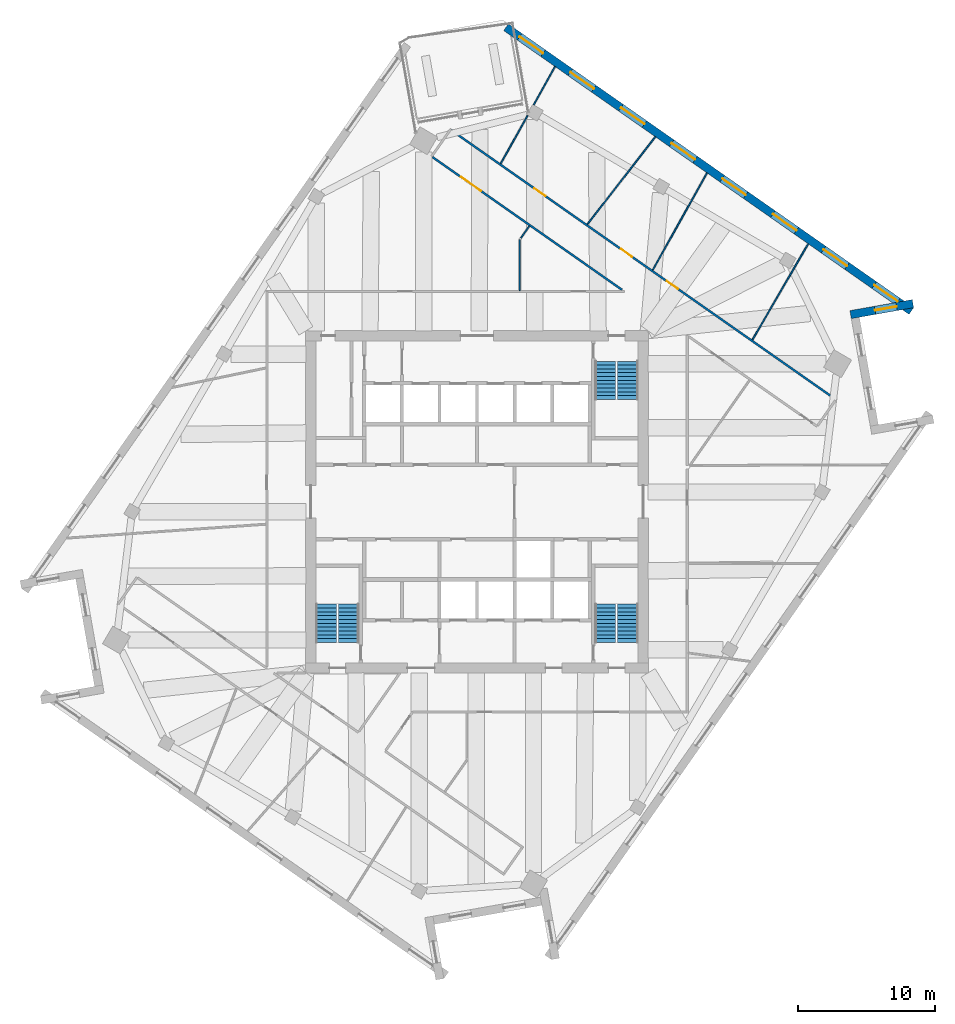
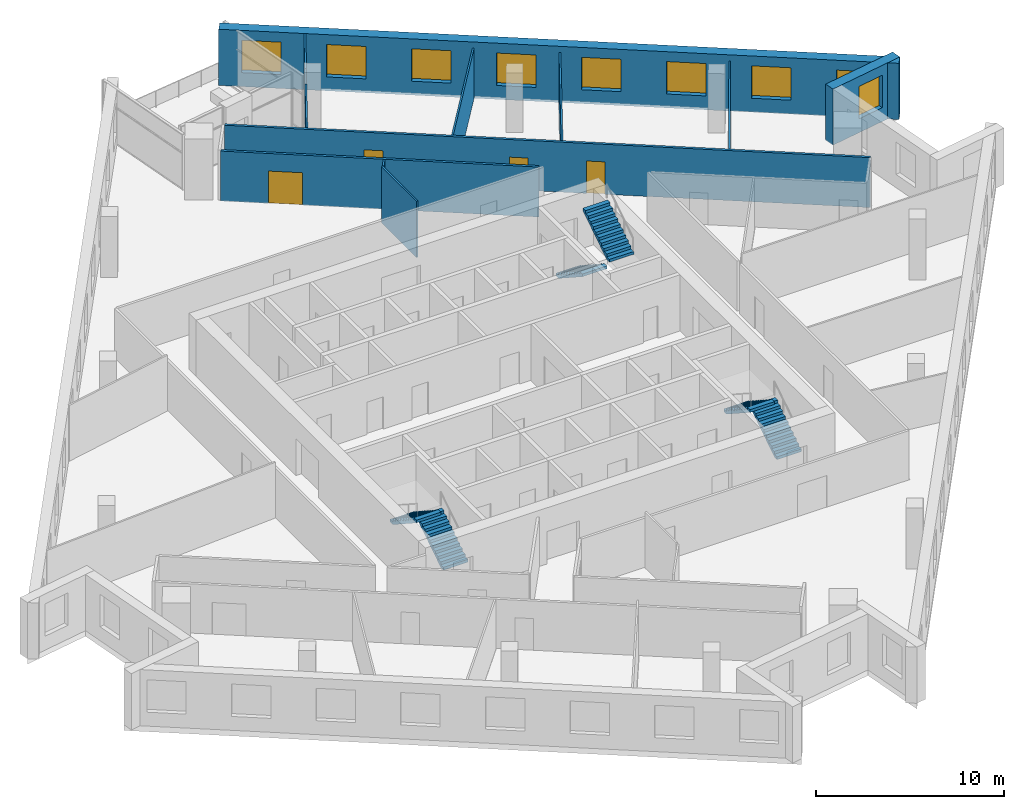
# One storey, part 11 of 13: 11 walls, 9 windows, 6 stair flights, 4 doors, 13 openings, 3 elements without a shape of their own.
"""IFC4 building model written with IfcOpenShell, lengths in metres."""

from ifc_helpers import new_model, si_unit, direction, frame, frame_2d, origin, place, context, subcontext, project, spatial, polyline, rectangle, outline, extrude, material, layer, layer_set, type_object, element, fill, aggregate, save


model = new_model("IFC4")

# Units and contexts
model_context = context("Model", 3, precision=1e-05, world=origin(), true_north=direction((0.0, 1.0)))
body_context = subcontext(model_context, "Body", "Model", "MODEL_VIEW")
ifc_project = project(units=[si_unit("LENGTHUNIT", "METRE"), si_unit("AREAUNIT", "SQUARE_METRE"), si_unit("VOLUMEUNIT", "CUBIC_METRE"), si_unit("PLANEANGLEUNIT", "RADIAN"), si_unit("MASSUNIT", "GRAM", prefix="KILO")], contexts=[model_context])

# Site, building, storey
site_placement = place(None, origin())
site = spatial("IfcSite", under=ifc_project, at=site_placement, CompositionType="ELEMENT")
building_placement = place(site_placement, origin())
building = spatial("IfcBuilding", under=site, at=building_placement, Name="Dilmun Exchange Tower", CompositionType="ELEMENT")
storey_placement = place(building_placement, frame((0.0, 0.0, 250.89990234375)))
storey = spatial("IfcBuildingStorey", under=building, at=storey_placement, Name="L59", CompositionType="ELEMENT", Elevation=250.89990234375)

# Wall, opening, door
ifc_material_1 = material(Name="Corridor wall 150")
ifc_layer_1 = layer(ifc_material_1, 0.14990234375)
ifc_layer_set_1 = layer_set([ifc_layer_1], Name="Corridor wall 150")
wall_type_1 = type_object("IfcWallType", Name="Corridor wall 150", PredefinedType="PARTITIONING", material=ifc_layer_set_1)
wall_1_placement = place(storey_placement, frame((-3.265625, 25.260009765625, 0.0), z_axis=(0.0, 0.0, 1.0), x_axis=(0.819150723298, -0.573578322917, 0.0)))
wall_1 = element("IfcWall", 1, at=wall_1_placement, inside=storey, type_object=wall_type_1, Name="Corridor wall", PredefinedType="PARTITIONING", context=body_context, shape_type="SweptSolid", body=[
    extrude(rectangle(XDim=16.95263671875, YDim=0.14990234375, at=frame_2d((8.476318359375, 0.0))), origin(), (0.0, 0.0, 1.0), 3.239990234375),
])
opening_1_placement = place(wall_1_placement, frame((2.550048828125, 0.0, 0.0)))
opening_1 = element("IfcOpeningElement", 2, at=opening_1_placement, cuts=wall_1, Name="Opening TF57-D07", PredefinedType="OPENING", context=body_context, shape_type="SweptSolid", body=[
    extrude(rectangle(XDim=1.800048828125, YDim=2.10009765625, at=frame_2d((0.89990234375, 1.050048828125))), frame((0.0, 0.0849609375, 0.0), z_axis=(0.0, -1.0, 0.0), x_axis=(1.0, 0.0, 0.0)), (0.0, 0.0, 1.0), 0.169921875),
])
ifc_material_2 = material(Name="Fire door pair 1800 x 2100")
door_type_1 = type_object("IfcDoorType", Name="Fire door pair 1800 x 2100", OperationType="NOTDEFINED", PredefinedType="DOOR", material=ifc_material_2)
door_1_placement = place(opening_1_placement, frame((1.800048828125, 0.0, 0.0), z_axis=(0.0, 0.0, 1.0), x_axis=(-1.0, 0.0, 0.0)))
door_1 = element("IfcDoor", 3, at=door_1_placement, inside=storey, type_object=door_type_1, Name="Door TF57-D07", OperationType="DOUBLE_DOOR_SINGLE_SWING", OverallHeight=2.10009765625, OverallWidth=1.800048828125, PredefinedType="DOOR", context=body_context, shape_type="SweptSolid", body=[
    extrude(rectangle(XDim=1.800048828125, YDim=2.10009765625, at=frame_2d((0.89990234375, 1.050048828125))), frame((0.0, 0.02490234375, 0.0), z_axis=(0.0, -1.0, 0.0), x_axis=(1.0, 0.0, 0.0)), (0.0, 0.0, 1.0), 0.050048828125),
])
fill(opening_1, door_1)

# Wall, openings, doors
wall_2_placement = place(storey_placement, frame((-1.8896484375, 27.22607421875, 0.0), z_axis=(0.0, 0.0, 1.0), x_axis=(0.819163235761, -0.573560452941, 0.0)))
wall_2 = element("IfcWall", 4, at=wall_2_placement, inside=storey, type_object=wall_type_1, Name="Corridor wall", PredefinedType="PARTITIONING", context=body_context, shape_type="SweptSolid", body=[
    extrude(rectangle(XDim=34.403076171875, YDim=0.14990234375, at=frame_2d((17.20166015625, 0.0))), origin(), (0.0, 0.0, 1.0), 3.239990234375),
])
opening_2_placement = place(wall_2_placement, frame((7.427490234375, 0.0, 0.0)))
opening_2 = element("IfcOpeningElement", 5, at=opening_2_placement, cuts=wall_2, Name="Opening TF57-D13", PredefinedType="OPENING", context=body_context, shape_type="SweptSolid", body=[
    extrude(rectangle(XDim=1.0, YDim=2.10009765625, at=frame_2d((0.5, 1.050048828125))), frame((0.0, 0.0849609375, 0.0), z_axis=(0.0, -1.0, 0.0), x_axis=(1.0, 0.0, 0.0)), (0.0, 0.0, 1.0), 0.169921875),
])
opening_3_placement = place(wall_2_placement, frame((15.1728515625, 0.0, 0.0)))
opening_3 = element("IfcOpeningElement", 6, at=opening_3_placement, cuts=wall_2, Name="Opening TF57-D14", PredefinedType="OPENING", context=body_context, shape_type="SweptSolid", body=[
    extrude(rectangle(XDim=1.0, YDim=2.10009765625, at=frame_2d((0.5, 1.050048828125))), frame((0.0, 0.0849609375, 0.0), z_axis=(0.0, -1.0, 0.0), x_axis=(1.0, 0.0, 0.0)), (0.0, 0.0, 1.0), 0.169921875),
])
opening_4_placement = place(wall_2_placement, frame((19.272705078125, 0.0, 0.0)))
opening_4 = element("IfcOpeningElement", 7, at=opening_4_placement, cuts=wall_2, Name="Opening TF57-D16", PredefinedType="OPENING", context=body_context, shape_type="SweptSolid", body=[
    extrude(rectangle(XDim=1.0, YDim=2.10009765625, at=frame_2d((0.5, 1.050048828125))), frame((0.0, 0.0849609375, 0.0), z_axis=(0.0, -1.0, 0.0), x_axis=(1.0, 0.0, 0.0)), (0.0, 0.0, 1.0), 0.169921875),
])
ifc_material_3 = material(Name="Fire door 1000 x 2100")
door_type_2 = type_object("IfcDoorType", Name="Fire door 1000 x 2100", OperationType="NOTDEFINED", PredefinedType="DOOR", material=ifc_material_3)
door_2_placement = place(opening_2_placement, origin())
door_2 = element("IfcDoor", 8, at=door_2_placement, inside=storey, type_object=door_type_2, Name="Door TF57-D13", OperationType="SINGLE_SWING_LEFT", OverallHeight=2.10009765625, OverallWidth=1.0, PredefinedType="DOOR", context=body_context, shape_type="SweptSolid", body=[
    extrude(rectangle(XDim=1.0, YDim=2.10009765625, at=frame_2d((0.5, 1.050048828125))), frame((0.0, 0.02490234375, 0.0), z_axis=(0.0, -1.0, 0.0), x_axis=(1.0, 0.0, 0.0)), (0.0, 0.0, 1.0), 0.050048828125),
])
fill(opening_2, door_2)
door_3_placement = place(opening_3_placement, origin())
door_3 = element("IfcDoor", 9, at=door_3_placement, inside=storey, type_object=door_type_2, Name="Door TF57-D14", OperationType="SINGLE_SWING_RIGHT", OverallHeight=2.10009765625, OverallWidth=1.0, PredefinedType="DOOR", context=body_context, shape_type="SweptSolid", body=[
    extrude(rectangle(XDim=1.0, YDim=2.10009765625, at=frame_2d((0.5, 1.050048828125))), frame((0.0, 0.02490234375, 0.0), z_axis=(0.0, -1.0, 0.0), x_axis=(1.0, 0.0, 0.0)), (0.0, 0.0, 1.0), 0.050048828125),
])
fill(opening_3, door_3)
door_4_placement = place(opening_4_placement, origin())
door_4 = element("IfcDoor", 10, at=door_4_placement, inside=storey, type_object=door_type_2, Name="Door TF57-D16", OperationType="SINGLE_SWING_LEFT", OverallHeight=2.10009765625, OverallWidth=1.0, PredefinedType="DOOR", context=body_context, shape_type="SweptSolid", body=[
    extrude(rectangle(XDim=1.0, YDim=2.10009765625, at=frame_2d((0.5, 1.050048828125))), frame((0.0, 0.02490234375, 0.0), z_axis=(0.0, -1.0, 0.0), x_axis=(1.0, 0.0, 0.0)), (0.0, 0.0, 1.0), 0.050048828125),
])
fill(opening_4, door_4)

# Walls
ifc_material_4 = material(Name="Partition 100")
ifc_layer_2 = layer(ifc_material_4, 0.10009765625)
ifc_layer_set_2 = layer_set([ifc_layer_2], Name="Partition 100")
wall_type_2 = type_object("IfcWallType", Name="Partition 100", PredefinedType="PARTITIONING", material=ifc_layer_set_2)
wall_3_placement = place(storey_placement, frame((1.7392578125, 24.783203125, 0.0), z_axis=(0.0, 0.0, 1.0), x_axis=(0.488204523876, 0.872729249462, 0.0)))
element("IfcWall", 11, at=wall_3_placement, inside=storey, type_object=wall_type_2, Name="Partition", PredefinedType="PARTITIONING", context=body_context, shape_type="SweptSolid", body=[
    extrude(rectangle(XDim=4.026611328125, YDim=0.10009765625, at=frame_2d((2.01318359375, 0.0))), origin(), (0.0, 0.0, 1.0), 3.239990234375),
])
wall_4_placement = place(storey_placement, frame((3.1298828125, 15.47509765625, 0.0), z_axis=(0.0, 0.0, 1.0), x_axis=(0.0, 1.0, 0.0)))
element("IfcWall", 12, at=wall_4_placement, inside=storey, type_object=wall_type_2, Name="Partition", PredefinedType="PARTITIONING", context=body_context, shape_type="SweptSolid", body=[
    extrude(rectangle(XDim=3.73095703125, YDim=0.10009765625, at=frame_2d((1.865478515625, 0.0))), origin(), (0.0, 0.0, 1.0), 3.64013671875),
])
wall_5_placement = place(storey_placement, frame((3.220947265625, 19.336181640625, 0.0), z_axis=(0.0, 0.0, 1.0), x_axis=(0.573214319636, 0.819405481898, 0.0)))
element("IfcWall", 13, at=wall_5_placement, inside=storey, type_object=wall_type_2, Name="Partition", PredefinedType="PARTITIONING", context=body_context, shape_type="SweptSolid", body=[
    extrude(rectangle(XDim=1.05712890625, YDim=0.10009765625, at=frame_2d((0.528564453125, 0.0))), origin(), (0.0, 0.0, 1.0), 3.239990234375),
])
wall_6_placement = place(storey_placement, frame((4.14453125, 29.0830078125, 0.0), z_axis=(0.0, 0.0, 1.0), x_axis=(0.488182285446, 0.872741689263, 0.0)))
element("IfcWall", 14, at=wall_6_placement, inside=storey, type_object=wall_type_2, Name="Partition", PredefinedType="PARTITIONING", context=body_context, shape_type="SweptSolid", body=[
    extrude(rectangle(XDim=3.213623046875, YDim=0.10009765625, at=frame_2d((1.60693359375, 0.0))), origin(), (0.0, 0.0, 1.0), 3.64013671875),
])
wall_7_placement = place(storey_placement, frame((8.088623046875, 20.334228515625, 0.0), z_axis=(0.0, 0.0, 1.0), x_axis=(0.613179783631, 0.789943385912, 0.0)))
element("IfcWall", 15, at=wall_7_placement, inside=storey, type_object=wall_type_2, Name="Partition", PredefinedType="PARTITIONING", context=body_context, shape_type="SweptSolid", body=[
    extrude(rectangle(XDim=8.111572265625, YDim=0.10009765625, at=frame_2d((4.0556640625, 0.0))), origin(), (0.0, 0.0, 1.0), 3.239990234375),
])
wall_8_placement = place(storey_placement, frame((12.876220703125, 16.985107421875, 0.0), z_axis=(0.0, 0.0, 1.0), x_axis=(0.487744732035, 0.872986297929, 0.0)))
element("IfcWall", 16, at=wall_8_placement, inside=storey, type_object=wall_type_2, Name="Partition", PredefinedType="PARTITIONING", context=body_context, shape_type="SweptSolid", body=[
    extrude(rectangle(XDim=8.140869140625, YDim=0.10009765625, at=frame_2d((4.0703125, 0.0))), origin(), (0.0, 0.0, 1.0), 3.239990234375),
])
wall_9_placement = place(storey_placement, frame((20.177001953125, 11.872802734375, 0.0), z_axis=(0.0, 0.0, 1.0), x_axis=(0.502475319919, 0.864591552626, 0.0)))
element("IfcWall", 17, at=wall_9_placement, inside=storey, type_object=wall_type_2, Name="Partition", PredefinedType="PARTITIONING", context=body_context, shape_type="SweptSolid", body=[
    extrude(rectangle(XDim=8.128173828125, YDim=0.10009765625, at=frame_2d((4.06396484375, 0.0))), origin(), (0.0, 0.0, 1.0), 3.239990234375),
])

# Wall, opening, window
ifc_material_5 = material(Name="Precast concrete C50/60", Category="concrete")
ifc_layer_3 = layer(ifc_material_5, 0.60009765625)
ifc_layer_set_3 = layer_set([ifc_layer_3], Name="Precast concrete C50/60")
wall_type_3 = type_object("IfcWallType", Name="Precast stone-clad wall 600", PredefinedType="STANDARD", material=ifc_layer_set_3)
wall_10_placement = place(storey_placement, frame((27.3701171875, 13.7158203125, 0.0), z_axis=(0.0, 0.0, 1.0), x_axis=(0.984799990421, 0.173692195754, 0.0)))
wall_10 = element("IfcWall", 18, at=wall_10_placement, inside=storey, type_object=wall_type_3, Name="Facade wall L59-14", PredefinedType="STANDARD", context=body_context, shape_type="SweptSolid", body=[
    extrude(rectangle(XDim=4.6357421875, YDim=0.60009765625, at=frame_2d((2.31787109375, 0.0))), origin(), (0.0, 0.0, 1.0), 3.64013671875),
])
opening_5_placement = place(wall_10_placement, frame((1.81787109375, 0.0, 0.89990234375)))
opening_5 = element("IfcOpeningElement", 19, at=opening_5_placement, cuts=wall_10, Name="Opening W160-210", PredefinedType="OPENING", context=body_context, shape_type="SweptSolid", body=[
    extrude(rectangle(XDim=1.60009765625, YDim=2.10009765625, at=frame_2d((0.800048828125, 1.050048828125))), frame((0.0, 0.31005859375, 0.0), z_axis=(0.0, -1.0, 0.0), x_axis=(1.0, 0.0, 0.0)), (0.0, 0.0, 1.0), 0.6201171875),
])
ifc_material_6 = material(Name="Clear low-emissivity glass in aluminium frame", Category="aluminium")
window_type_1 = type_object("IfcWindowType", Name="Punched window 1600 x 2100", PartitioningType="DOUBLE_PANEL_VERTICAL", PredefinedType="WINDOW", material=ifc_material_6)
window_1_placement = place(opening_5_placement, origin())
window_1 = element("IfcWindow", 20, at=window_1_placement, inside=storey, type_object=window_type_1, Name="Window 15.1", OverallHeight=2.10009765625, OverallWidth=1.60009765625, PartitioningType="SINGLE_PANEL", PredefinedType="WINDOW", context=body_context, shape_type="SweptSolid", body=[
    extrude(rectangle(XDim=1.60009765625, YDim=2.10009765625, at=frame_2d((0.800048828125, 1.050048828125))), frame((0.0, 0.030029296875, 0.0), z_axis=(0.0, -1.0, 0.0), x_axis=(1.0, 0.0, 0.0)), (0.0, 0.0, 1.0), 0.06005859375),
])
fill(opening_5, window_1)

# Wall, openings, windows
wall_11_placement = place(storey_placement, frame((31.815185546875, 13.979736328125, 0.0), z_axis=(0.0, 0.0, 1.0), x_axis=(-0.819152162902, 0.573576266955, 0.0)))
wall_11 = element("IfcWall", 21, at=wall_11_placement, inside=storey, type_object=wall_type_3, Name="Facade wall L59-15", PredefinedType="STANDARD", context=body_context, shape_type="SweptSolid", body=[
    extrude(rectangle(XDim=36.242919921875, YDim=0.60009765625, at=frame_2d((18.12158203125, 0.0))), origin(), (0.0, 0.0, 1.0), 3.64013671875),
])
opening_6_placement = place(wall_11_placement, frame((1.215087890625, 0.0, 0.89990234375)))
opening_6 = element("IfcOpeningElement", 22, at=opening_6_placement, cuts=wall_11, Name="Opening W210-210", PredefinedType="OPENING", context=body_context, shape_type="SweptSolid", body=[
    extrude(rectangle(XDim=2.10009765625, YDim=2.10009765625, at=frame_2d((1.050048828125, 1.050048828125))), frame((0.0, 0.31005859375, 0.0), z_axis=(0.0, -1.0, 0.0), x_axis=(1.0, 0.0, 0.0)), (0.0, 0.0, 1.0), 0.6201171875),
])
opening_7_placement = place(wall_11_placement, frame((5.74560546875, 0.0, 0.89990234375)))
opening_7 = element("IfcOpeningElement", 23, at=opening_7_placement, cuts=wall_11, Name="Opening W210-210", PredefinedType="OPENING", context=body_context, shape_type="SweptSolid", body=[
    extrude(rectangle(XDim=2.10009765625, YDim=2.10009765625, at=frame_2d((1.050048828125, 1.050048828125))), frame((0.0, 0.31005859375, 0.0), z_axis=(0.0, -1.0, 0.0), x_axis=(1.0, 0.0, 0.0)), (0.0, 0.0, 1.0), 0.6201171875),
])
opening_8_placement = place(wall_11_placement, frame((10.27587890625, 0.0, 0.89990234375)))
opening_8 = element("IfcOpeningElement", 24, at=opening_8_placement, cuts=wall_11, Name="Opening W210-210", PredefinedType="OPENING", context=body_context, shape_type="SweptSolid", body=[
    extrude(rectangle(XDim=2.10009765625, YDim=2.10009765625, at=frame_2d((1.050048828125, 1.050048828125))), frame((0.0, 0.31005859375, 0.0), z_axis=(0.0, -1.0, 0.0), x_axis=(1.0, 0.0, 0.0)), (0.0, 0.0, 1.0), 0.6201171875),
])
opening_9_placement = place(wall_11_placement, frame((14.806396484375, 0.0, 0.89990234375)))
opening_9 = element("IfcOpeningElement", 25, at=opening_9_placement, cuts=wall_11, Name="Opening W210-210", PredefinedType="OPENING", context=body_context, shape_type="SweptSolid", body=[
    extrude(rectangle(XDim=2.10009765625, YDim=2.10009765625, at=frame_2d((1.050048828125, 1.050048828125))), frame((0.0, 0.31005859375, 0.0), z_axis=(0.0, -1.0, 0.0), x_axis=(1.0, 0.0, 0.0)), (0.0, 0.0, 1.0), 0.6201171875),
])
opening_10_placement = place(wall_11_placement, frame((19.3369140625, 0.0, 0.89990234375)))
opening_10 = element("IfcOpeningElement", 26, at=opening_10_placement, cuts=wall_11, Name="Opening W210-210", PredefinedType="OPENING", context=body_context, shape_type="SweptSolid", body=[
    extrude(rectangle(XDim=2.10009765625, YDim=2.10009765625, at=frame_2d((1.050048828125, 1.050048828125))), frame((0.0, 0.31005859375, 0.0), z_axis=(0.0, -1.0, 0.0), x_axis=(1.0, 0.0, 0.0)), (0.0, 0.0, 1.0), 0.6201171875),
])
opening_11_placement = place(wall_11_placement, frame((23.8671875, 0.0, 0.89990234375)))
opening_11 = element("IfcOpeningElement", 27, at=opening_11_placement, cuts=wall_11, Name="Opening W210-210", PredefinedType="OPENING", context=body_context, shape_type="SweptSolid", body=[
    extrude(rectangle(XDim=2.10009765625, YDim=2.10009765625, at=frame_2d((1.050048828125, 1.050048828125))), frame((0.0, 0.31005859375, 0.0), z_axis=(0.0, -1.0, 0.0), x_axis=(1.0, 0.0, 0.0)), (0.0, 0.0, 1.0), 0.6201171875),
])
opening_12_placement = place(wall_11_placement, frame((28.397705078125, 0.0, 0.89990234375)))
opening_12 = element("IfcOpeningElement", 28, at=opening_12_placement, cuts=wall_11, Name="Opening W210-210", PredefinedType="OPENING", context=body_context, shape_type="SweptSolid", body=[
    extrude(rectangle(XDim=2.10009765625, YDim=2.10009765625, at=frame_2d((1.050048828125, 1.050048828125))), frame((0.0, 0.31005859375, 0.0), z_axis=(0.0, -1.0, 0.0), x_axis=(1.0, 0.0, 0.0)), (0.0, 0.0, 1.0), 0.6201171875),
])
opening_13_placement = place(wall_11_placement, frame((32.927978515625, 0.0, 0.89990234375)))
opening_13 = element("IfcOpeningElement", 29, at=opening_13_placement, cuts=wall_11, Name="Opening W210-210", PredefinedType="OPENING", context=body_context, shape_type="SweptSolid", body=[
    extrude(rectangle(XDim=2.10009765625, YDim=2.10009765625, at=frame_2d((1.050048828125, 1.050048828125))), frame((0.0, 0.31005859375, 0.0), z_axis=(0.0, -1.0, 0.0), x_axis=(1.0, 0.0, 0.0)), (0.0, 0.0, 1.0), 0.6201171875),
])
window_type_2 = type_object("IfcWindowType", Name="Punched window 2100 x 2100", PartitioningType="DOUBLE_PANEL_VERTICAL", PredefinedType="WINDOW", material=ifc_material_6)
window_2_placement = place(opening_6_placement, origin())
window_2 = element("IfcWindow", 30, at=window_2_placement, inside=storey, type_object=window_type_2, Name="Window 16.1", OverallHeight=2.10009765625, OverallWidth=2.10009765625, PartitioningType="SINGLE_PANEL", PredefinedType="WINDOW", context=body_context, shape_type="SweptSolid", body=[
    extrude(rectangle(XDim=2.10009765625, YDim=2.10009765625, at=frame_2d((1.050048828125, 1.050048828125))), frame((0.0, 0.030029296875, 0.0), z_axis=(0.0, -1.0, 0.0), x_axis=(1.0, 0.0, 0.0)), (0.0, 0.0, 1.0), 0.06005859375),
])
fill(opening_6, window_2)
window_3_placement = place(opening_7_placement, origin())
window_3 = element("IfcWindow", 31, at=window_3_placement, inside=storey, type_object=window_type_2, Name="Window 16.2", OverallHeight=2.10009765625, OverallWidth=2.10009765625, PartitioningType="SINGLE_PANEL", PredefinedType="WINDOW", context=body_context, shape_type="SweptSolid", body=[
    extrude(rectangle(XDim=2.10009765625, YDim=2.10009765625, at=frame_2d((1.050048828125, 1.050048828125))), frame((0.0, 0.030029296875, 0.0), z_axis=(0.0, -1.0, 0.0), x_axis=(1.0, 0.0, 0.0)), (0.0, 0.0, 1.0), 0.06005859375),
])
fill(opening_7, window_3)
window_4_placement = place(opening_8_placement, origin())
window_4 = element("IfcWindow", 32, at=window_4_placement, inside=storey, type_object=window_type_2, Name="Window 16.3", OverallHeight=2.10009765625, OverallWidth=2.10009765625, PartitioningType="SINGLE_PANEL", PredefinedType="WINDOW", context=body_context, shape_type="SweptSolid", body=[
    extrude(rectangle(XDim=2.10009765625, YDim=2.10009765625, at=frame_2d((1.050048828125, 1.050048828125))), frame((0.0, 0.030029296875, 0.0), z_axis=(0.0, -1.0, 0.0), x_axis=(1.0, 0.0, 0.0)), (0.0, 0.0, 1.0), 0.06005859375),
])
fill(opening_8, window_4)
window_5_placement = place(opening_9_placement, origin())
window_5 = element("IfcWindow", 33, at=window_5_placement, inside=storey, type_object=window_type_2, Name="Window 16.4", OverallHeight=2.10009765625, OverallWidth=2.10009765625, PartitioningType="SINGLE_PANEL", PredefinedType="WINDOW", context=body_context, shape_type="SweptSolid", body=[
    extrude(rectangle(XDim=2.10009765625, YDim=2.10009765625, at=frame_2d((1.050048828125, 1.050048828125))), frame((0.0, 0.030029296875, 0.0), z_axis=(0.0, -1.0, 0.0), x_axis=(1.0, 0.0, 0.0)), (0.0, 0.0, 1.0), 0.06005859375),
])
fill(opening_9, window_5)
window_6_placement = place(opening_10_placement, origin())
window_6 = element("IfcWindow", 34, at=window_6_placement, inside=storey, type_object=window_type_2, Name="Window 16.5", OverallHeight=2.10009765625, OverallWidth=2.10009765625, PartitioningType="SINGLE_PANEL", PredefinedType="WINDOW", context=body_context, shape_type="SweptSolid", body=[
    extrude(rectangle(XDim=2.10009765625, YDim=2.10009765625, at=frame_2d((1.050048828125, 1.050048828125))), frame((0.0, 0.030029296875, 0.0), z_axis=(0.0, -1.0, 0.0), x_axis=(1.0, 0.0, 0.0)), (0.0, 0.0, 1.0), 0.06005859375),
])
fill(opening_10, window_6)
window_7_placement = place(opening_11_placement, origin())
window_7 = element("IfcWindow", 35, at=window_7_placement, inside=storey, type_object=window_type_2, Name="Window 16.6", OverallHeight=2.10009765625, OverallWidth=2.10009765625, PartitioningType="SINGLE_PANEL", PredefinedType="WINDOW", context=body_context, shape_type="SweptSolid", body=[
    extrude(rectangle(XDim=2.10009765625, YDim=2.10009765625, at=frame_2d((1.050048828125, 1.050048828125))), frame((0.0, 0.030029296875, 0.0), z_axis=(0.0, -1.0, 0.0), x_axis=(1.0, 0.0, 0.0)), (0.0, 0.0, 1.0), 0.06005859375),
])
fill(opening_11, window_7)
window_8_placement = place(opening_12_placement, origin())
window_8 = element("IfcWindow", 36, at=window_8_placement, inside=storey, type_object=window_type_2, Name="Window 16.7", OverallHeight=2.10009765625, OverallWidth=2.10009765625, PartitioningType="SINGLE_PANEL", PredefinedType="WINDOW", context=body_context, shape_type="SweptSolid", body=[
    extrude(rectangle(XDim=2.10009765625, YDim=2.10009765625, at=frame_2d((1.050048828125, 1.050048828125))), frame((0.0, 0.030029296875, 0.0), z_axis=(0.0, -1.0, 0.0), x_axis=(1.0, 0.0, 0.0)), (0.0, 0.0, 1.0), 0.06005859375),
])
fill(opening_12, window_8)
window_9_placement = place(opening_13_placement, origin())
window_9 = element("IfcWindow", 37, at=window_9_placement, inside=storey, type_object=window_type_2, Name="Window 16.8", OverallHeight=2.10009765625, OverallWidth=2.10009765625, PartitioningType="SINGLE_PANEL", PredefinedType="WINDOW", context=body_context, shape_type="SweptSolid", body=[
    extrude(rectangle(XDim=2.10009765625, YDim=2.10009765625, at=frame_2d((1.050048828125, 1.050048828125))), frame((0.0, 0.030029296875, 0.0), z_axis=(0.0, -1.0, 0.0), x_axis=(1.0, 0.0, 0.0)), (0.0, 0.0, 1.0), 0.06005859375),
])
fill(opening_13, window_9)

# Stair, stair flights
ifc_material_7 = material(Name="Concrete C40/50", Category="concrete")
stair_type = type_object("IfcStairType", Name="Exit stair 1500 half-turn", PredefinedType="HALF_TURN_STAIR", material=ifc_material_7)
stair_1_placement = place(storey_placement, origin())
stair_1 = element("IfcStair", 38, at=stair_1_placement, inside=storey, type_object=stair_type, Name="L59 Protected exit stair ST1", PredefinedType="HALF_TURN_STAIR")
stair_flight_type = type_object("IfcStairFlightType", Name="Exit stair flight 1500", PredefinedType="STRAIGHT", material=ifc_material_7)
stair_flight_1_placement = place(storey_placement, frame((9.39990234375, 10.300048828125, 0.0), z_axis=(0.0, 0.0, 1.0), x_axis=(0.0, -1.0, 0.0)))
stair_flight_1 = element("IfcStairFlight", 39, at=stair_flight_1_placement, type_object=stair_flight_type, Name="ST1 flight 1", NumberOfRisers=11, NumberOfTreads=10, PredefinedType="STRAIGHT", RiserHeight=0.181818182, TreadLength=0.28, context=body_context, shape_type="SweptSolid", body=[
    extrude(outline(polyline([(0.0, 0.0), (0.0, 0.181884765625), (0.280029296875, 0.181884765625), (0.280029296875, 0.363525390625), (0.56005859375, 0.363525390625), (0.56005859375, 0.54541015625), (0.840087890625, 0.54541015625), (0.840087890625, 0.727294921875), (1.1201171875, 0.727294921875), (1.1201171875, 0.9091796875), (1.39990234375, 0.9091796875), (1.39990234375, 1.0908203125), (1.679931640625, 1.0908203125), (1.679931640625, 1.272705078125), (1.9599609375, 1.272705078125), (1.9599609375, 1.45458984375), (2.239990234375, 1.45458984375), (2.239990234375, 1.636474609375), (2.52001953125, 1.636474609375), (2.52001953125, 1.818115234375), (2.800048828125, 1.818115234375), (2.800048828125, 2.0), (2.800048828125, 1.639404296875), (0.275146484375, 0.0), (0.0, 0.0)])), frame((0.0, 0.75, 0.0), z_axis=(0.0, -1.0, 0.0), x_axis=(1.0, 0.0, 0.0)), (0.0, 0.0, 1.0), 1.5),
])
stair_flight_2_placement = place(storey_placement, frame((11.050048828125, 7.5, 2.0), z_axis=(0.0, 0.0, 1.0), x_axis=(0.0, 1.0, 0.0)))
stair_flight_2 = element("IfcStairFlight", 40, at=stair_flight_2_placement, type_object=stair_flight_type, Name="ST1 flight 2", NumberOfRisers=11, NumberOfTreads=10, PredefinedType="STRAIGHT", RiserHeight=0.181818182, TreadLength=0.28, context=body_context, shape_type="SweptSolid", body=[
    extrude(outline(polyline([(0.0, 0.0), (0.0, 0.181884765625), (0.280029296875, 0.181884765625), (0.280029296875, 0.363525390625), (0.56005859375, 0.363525390625), (0.56005859375, 0.54541015625), (0.840087890625, 0.54541015625), (0.840087890625, 0.727294921875), (1.1201171875, 0.727294921875), (1.1201171875, 0.9091796875), (1.39990234375, 0.9091796875), (1.39990234375, 1.0908203125), (1.679931640625, 1.0908203125), (1.679931640625, 1.272705078125), (1.9599609375, 1.272705078125), (1.9599609375, 1.45458984375), (2.239990234375, 1.45458984375), (2.239990234375, 1.636474609375), (2.52001953125, 1.636474609375), (2.52001953125, 1.818115234375), (2.800048828125, 1.818115234375), (2.800048828125, 2.0), (2.800048828125, 1.639404296875), (0.275146484375, 0.0), (0.0, 0.0)])), frame((0.0, 0.75, 0.0), z_axis=(0.0, -1.0, 0.0), x_axis=(1.0, 0.0, 0.0)), (0.0, 0.0, 1.0), 1.5),
])
aggregate(stair_1, [stair_flight_1, stair_flight_2])

stair_2_placement = place(storey_placement, origin())
stair_2 = element("IfcStair", 41, at=stair_2_placement, inside=storey, type_object=stair_type, Name="L59 Protected exit stair ST2", PredefinedType="HALF_TURN_STAIR")
stair_flight_3_placement = place(storey_placement, frame((-9.39990234375, -10.300048828125, 0.0), z_axis=(0.0, 0.0, 1.0), x_axis=(0.0, 1.0, 0.0)))
stair_flight_3 = element("IfcStairFlight", 42, at=stair_flight_3_placement, type_object=stair_flight_type, Name="ST2 flight 1", NumberOfRisers=11, NumberOfTreads=10, PredefinedType="STRAIGHT", RiserHeight=0.181818182, TreadLength=0.28, context=body_context, shape_type="SweptSolid", body=[
    extrude(outline(polyline([(0.0, 0.0), (0.0, 0.181884765625), (0.280029296875, 0.181884765625), (0.280029296875, 0.363525390625), (0.56005859375, 0.363525390625), (0.56005859375, 0.54541015625), (0.840087890625, 0.54541015625), (0.840087890625, 0.727294921875), (1.1201171875, 0.727294921875), (1.1201171875, 0.9091796875), (1.39990234375, 0.9091796875), (1.39990234375, 1.0908203125), (1.679931640625, 1.0908203125), (1.679931640625, 1.272705078125), (1.9599609375, 1.272705078125), (1.9599609375, 1.45458984375), (2.239990234375, 1.45458984375), (2.239990234375, 1.636474609375), (2.52001953125, 1.636474609375), (2.52001953125, 1.818115234375), (2.800048828125, 1.818115234375), (2.800048828125, 2.0), (2.800048828125, 1.639404296875), (0.275146484375, 0.0), (0.0, 0.0)])), frame((0.0, 0.75, 0.0), z_axis=(0.0, -1.0, 0.0), x_axis=(1.0, 0.0, 0.0)), (0.0, 0.0, 1.0), 1.5),
])
stair_flight_4_placement = place(storey_placement, frame((-11.050048828125, -7.5, 2.0), z_axis=(0.0, 0.0, 1.0), x_axis=(0.0, -1.0, 0.0)))
stair_flight_4 = element("IfcStairFlight", 43, at=stair_flight_4_placement, type_object=stair_flight_type, Name="ST2 flight 2", NumberOfRisers=11, NumberOfTreads=10, PredefinedType="STRAIGHT", RiserHeight=0.181818182, TreadLength=0.28, context=body_context, shape_type="SweptSolid", body=[
    extrude(outline(polyline([(0.0, 0.0), (0.0, 0.181884765625), (0.280029296875, 0.181884765625), (0.280029296875, 0.363525390625), (0.56005859375, 0.363525390625), (0.56005859375, 0.54541015625), (0.840087890625, 0.54541015625), (0.840087890625, 0.727294921875), (1.1201171875, 0.727294921875), (1.1201171875, 0.9091796875), (1.39990234375, 0.9091796875), (1.39990234375, 1.0908203125), (1.679931640625, 1.0908203125), (1.679931640625, 1.272705078125), (1.9599609375, 1.272705078125), (1.9599609375, 1.45458984375), (2.239990234375, 1.45458984375), (2.239990234375, 1.636474609375), (2.52001953125, 1.636474609375), (2.52001953125, 1.818115234375), (2.800048828125, 1.818115234375), (2.800048828125, 2.0), (2.800048828125, 1.639404296875), (0.275146484375, 0.0), (0.0, 0.0)])), frame((0.0, 0.75, 0.0), z_axis=(0.0, -1.0, 0.0), x_axis=(1.0, 0.0, 0.0)), (0.0, 0.0, 1.0), 1.5),
])
aggregate(stair_2, [stair_flight_3, stair_flight_4])

stair_3_placement = place(storey_placement, origin())
stair_3 = element("IfcStair", 44, at=stair_3_placement, inside=storey, type_object=stair_type, Name="L59 Protected exit stair ST3", PredefinedType="HALF_TURN_STAIR")
stair_flight_5_placement = place(storey_placement, frame((11.050048828125, -10.300048828125, 0.0), z_axis=(0.0, 0.0, 1.0), x_axis=(0.0, 1.0, 0.0)))
stair_flight_5 = element("IfcStairFlight", 45, at=stair_flight_5_placement, type_object=stair_flight_type, Name="ST3 flight 1", NumberOfRisers=11, NumberOfTreads=10, PredefinedType="STRAIGHT", RiserHeight=0.181818182, TreadLength=0.28, context=body_context, shape_type="SweptSolid", body=[
    extrude(outline(polyline([(0.0, 0.0), (0.0, 0.181884765625), (0.280029296875, 0.181884765625), (0.280029296875, 0.363525390625), (0.56005859375, 0.363525390625), (0.56005859375, 0.54541015625), (0.840087890625, 0.54541015625), (0.840087890625, 0.727294921875), (1.1201171875, 0.727294921875), (1.1201171875, 0.9091796875), (1.39990234375, 0.9091796875), (1.39990234375, 1.0908203125), (1.679931640625, 1.0908203125), (1.679931640625, 1.272705078125), (1.9599609375, 1.272705078125), (1.9599609375, 1.45458984375), (2.239990234375, 1.45458984375), (2.239990234375, 1.636474609375), (2.52001953125, 1.636474609375), (2.52001953125, 1.818115234375), (2.800048828125, 1.818115234375), (2.800048828125, 2.0), (2.800048828125, 1.639404296875), (0.275146484375, 0.0), (0.0, 0.0)])), frame((0.0, 0.75, 0.0), z_axis=(0.0, -1.0, 0.0), x_axis=(1.0, 0.0, 0.0)), (0.0, 0.0, 1.0), 1.5),
])
stair_flight_6_placement = place(storey_placement, frame((9.39990234375, -7.5, 2.0), z_axis=(0.0, 0.0, 1.0), x_axis=(0.0, -1.0, 0.0)))
stair_flight_6 = element("IfcStairFlight", 46, at=stair_flight_6_placement, type_object=stair_flight_type, Name="ST3 flight 2", NumberOfRisers=11, NumberOfTreads=10, PredefinedType="STRAIGHT", RiserHeight=0.181818182, TreadLength=0.28, context=body_context, shape_type="SweptSolid", body=[
    extrude(outline(polyline([(0.0, 0.0), (0.0, 0.181884765625), (0.280029296875, 0.181884765625), (0.280029296875, 0.363525390625), (0.56005859375, 0.363525390625), (0.56005859375, 0.54541015625), (0.840087890625, 0.54541015625), (0.840087890625, 0.727294921875), (1.1201171875, 0.727294921875), (1.1201171875, 0.9091796875), (1.39990234375, 0.9091796875), (1.39990234375, 1.0908203125), (1.679931640625, 1.0908203125), (1.679931640625, 1.272705078125), (1.9599609375, 1.272705078125), (1.9599609375, 1.45458984375), (2.239990234375, 1.45458984375), (2.239990234375, 1.636474609375), (2.52001953125, 1.636474609375), (2.52001953125, 1.818115234375), (2.800048828125, 1.818115234375), (2.800048828125, 2.0), (2.800048828125, 1.639404296875), (0.275146484375, 0.0), (0.0, 0.0)])), frame((0.0, 0.75, 0.0), z_axis=(0.0, -1.0, 0.0), x_axis=(1.0, 0.0, 0.0)), (0.0, 0.0, 1.0), 1.5),
])
aggregate(stair_3, [stair_flight_5, stair_flight_6])

save(model, "model.ifc")
